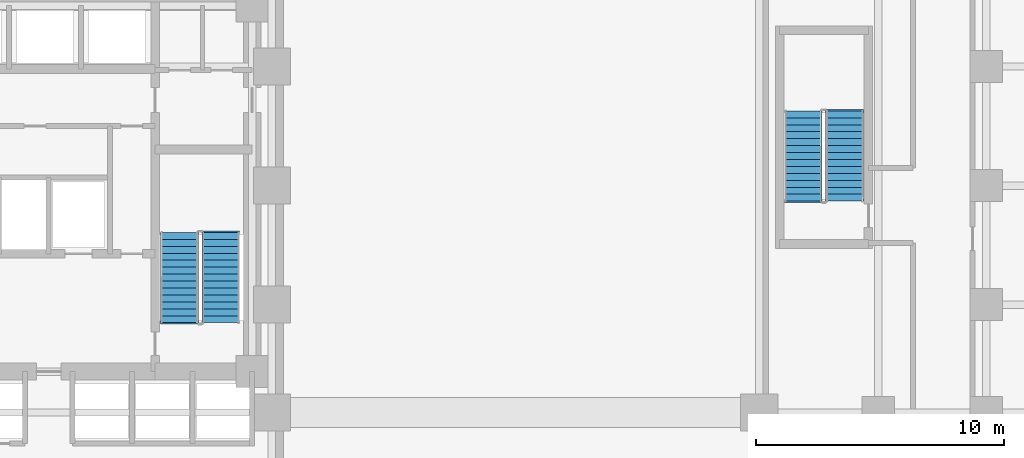
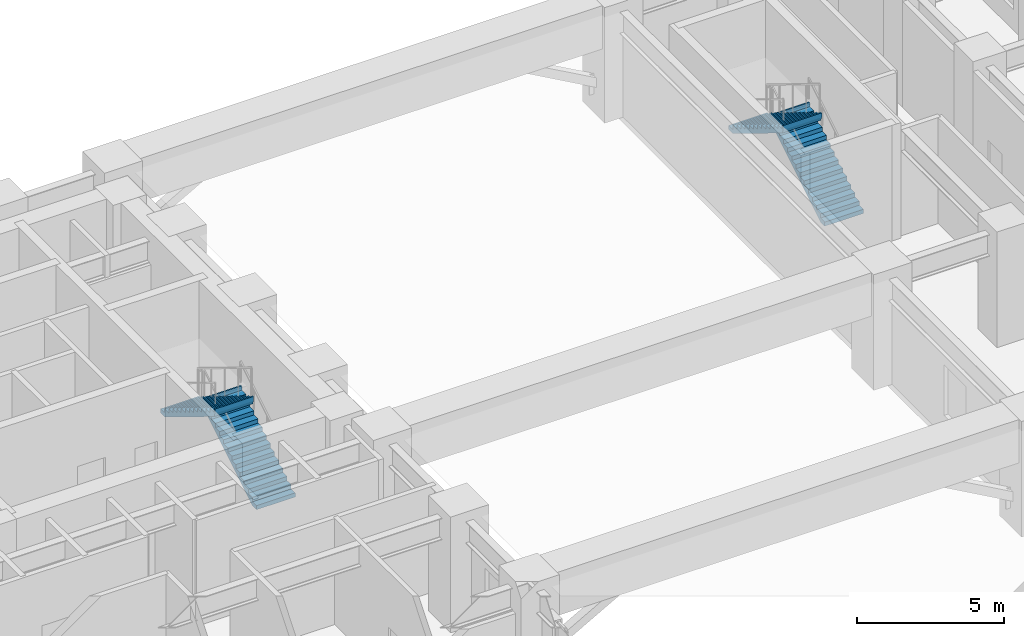
# One storey, part 9 of 12: 4 stair flights, 2 elements without a shape of their own.
"""IFC4 building model written with IfcOpenShell, lengths in metres."""

from ifc_helpers import new_model, si_unit, direction, frame, origin, place, context, subcontext, project, spatial, polyline, outline, extrude, material, type_object, element, aggregate, save


model = new_model("IFC4")

# Units and contexts
model_context = context("Model", 3, precision=1e-05, world=origin(), true_north=direction((0.0, 1.0)))
body_context = subcontext(model_context, "Body", "Model", "MODEL_VIEW")
ifc_project = project(units=[si_unit("LENGTHUNIT", "METRE"), si_unit("AREAUNIT", "SQUARE_METRE"), si_unit("VOLUMEUNIT", "CUBIC_METRE"), si_unit("PLANEANGLEUNIT", "RADIAN"), si_unit("MASSUNIT", "GRAM", prefix="KILO")], contexts=[model_context])

# Site, building, storey
site_placement = place(None, origin())
site = spatial("IfcSite", under=ifc_project, at=site_placement, CompositionType="ELEMENT")
building_placement = place(site_placement, origin())
building = spatial("IfcBuilding", under=site, at=building_placement, Name="Orvandelia Arch Residences", CompositionType="ELEMENT")
storey_placement = place(building_placement, frame((0.0, 0.0, 10.0)))
storey = spatial("IfcBuildingStorey", under=building, at=storey_placement, Name="L02", CompositionType="ELEMENT", Elevation=10.0)

# Stair, stair flights
ifc_material = material(Name="Concrete C40/50", Category="concrete")
stair_type = type_object("IfcStairType", Name="STAIR-RC-DOGLEG", PredefinedType="HALF_TURN_STAIR", material=ifc_material)
stair_1_placement = place(storey_placement, origin())
stair_1 = element("IfcStair", 1, at=stair_1_placement, inside=storey, type_object=stair_type, Name="L02 Protected Exit Stair ST-2", PredefinedType="HALF_TURN_STAIR")
stair_flight_type = type_object("IfcStairFlightType", Name="STFLT-RC-1520", PredefinedType="STRAIGHT", material=ifc_material)
stair_flight_1_placement = place(storey_placement, frame((21.489990234375, 32.8701171875, 0.0), z_axis=(0.0, 0.0, 1.0), x_axis=(0.0, 1.0, 0.0)))
stair_flight_1 = element("IfcStairFlight", 2, at=stair_flight_1_placement, type_object=stair_flight_type, Name="ST-2 flight 1", NumberOfRisers=14, NumberOfTreads=13, PredefinedType="STRAIGHT", RiserHeight=0.171428571, TreadLength=0.28, context=body_context, shape_type="SweptSolid", body=[
    extrude(outline(polyline([(0.0, 0.0), (0.0, 0.17138671875), (0.280029296875, 0.17138671875), (0.280029296875, 0.3427734375), (0.56005859375, 0.3427734375), (0.56005859375, 0.514404296875), (0.840087890625, 0.514404296875), (0.840087890625, 0.685791015625), (1.1201171875, 0.685791015625), (1.1201171875, 0.857177734375), (1.39990234375, 0.857177734375), (1.39990234375, 1.028564453125), (1.679931640625, 1.028564453125), (1.679931640625, 1.199951171875), (1.9599609375, 1.199951171875), (1.9599609375, 1.371337890625), (2.239990234375, 1.371337890625), (2.239990234375, 1.54296875), (2.52001953125, 1.54296875), (2.52001953125, 1.71435546875), (2.800048828125, 1.71435546875), (2.800048828125, 1.8857421875), (3.080078125, 1.8857421875), (3.080078125, 2.05712890625), (3.360107421875, 2.05712890625), (3.360107421875, 2.228515625), (3.639892578125, 2.228515625), (3.639892578125, 2.39990234375), (3.699951171875, 2.39990234375), (3.699951171875, 2.219970703125), (3.639892578125, 2.052734375), (0.287109375, 0.0), (0.0, 0.0)])), frame((0.0, 0.760009765625, 0.0), z_axis=(0.0, -1.0, 0.0), x_axis=(1.0, 0.0, 0.0)), (0.0, 0.0, 1.0), 1.52001953125),
])
stair_flight_2_placement = place(storey_placement, frame((19.820068359375, 36.510009765625, 2.39990234375), z_axis=(0.0, 0.0, 1.0), x_axis=(0.0, -1.0, 0.0)))
stair_flight_2 = element("IfcStairFlight", 3, at=stair_flight_2_placement, type_object=stair_flight_type, Name="ST-2 flight 2", NumberOfRisers=14, NumberOfTreads=13, PredefinedType="STRAIGHT", RiserHeight=0.171428571, TreadLength=0.28, context=body_context, shape_type="SweptSolid", body=[
    extrude(outline(polyline([(0.0, 0.0), (0.0, 0.17138671875), (0.280029296875, 0.17138671875), (0.280029296875, 0.3427734375), (0.56005859375, 0.3427734375), (0.56005859375, 0.514404296875), (0.840087890625, 0.514404296875), (0.840087890625, 0.685791015625), (1.1201171875, 0.685791015625), (1.1201171875, 0.857177734375), (1.39990234375, 0.857177734375), (1.39990234375, 1.028564453125), (1.679931640625, 1.028564453125), (1.679931640625, 1.199951171875), (1.9599609375, 1.199951171875), (1.9599609375, 1.371337890625), (2.239990234375, 1.371337890625), (2.239990234375, 1.54296875), (2.52001953125, 1.54296875), (2.52001953125, 1.71435546875), (2.800048828125, 1.71435546875), (2.800048828125, 1.8857421875), (3.080078125, 1.8857421875), (3.080078125, 2.05712890625), (3.360107421875, 2.05712890625), (3.360107421875, 2.228515625), (3.639892578125, 2.228515625), (3.639892578125, 2.39990234375), (3.699951171875, 2.39990234375), (3.699951171875, 2.219970703125), (3.639892578125, 2.052734375), (0.287109375, 0.0), (0.0, 0.0)])), frame((0.0, 0.760009765625, 0.0), z_axis=(0.0, -1.0, 0.0), x_axis=(1.0, 0.0, 0.0)), (0.0, 0.0, 1.0), 1.52001953125),
])
aggregate(stair_1, [stair_flight_1, stair_flight_2])

stair_2_placement = place(storey_placement, origin())
stair_2 = element("IfcStair", 4, at=stair_2_placement, inside=storey, type_object=stair_type, Name="L02 East Wing Exit Stair ST-3", PredefinedType="HALF_TURN_STAIR")
stair_flight_3_placement = place(storey_placement, frame((46.639892578125, 37.77001953125, 0.0), z_axis=(0.0, 0.0, 1.0), x_axis=(0.0, 1.0, 0.0)))
stair_flight_3 = element("IfcStairFlight", 5, at=stair_flight_3_placement, type_object=stair_flight_type, Name="ST-3 flight 1", NumberOfRisers=14, NumberOfTreads=13, PredefinedType="STRAIGHT", RiserHeight=0.171428571, TreadLength=0.28, context=body_context, shape_type="SweptSolid", body=[
    extrude(outline(polyline([(0.0, 0.0), (0.0, 0.17138671875), (0.280029296875, 0.17138671875), (0.280029296875, 0.3427734375), (0.56005859375, 0.3427734375), (0.56005859375, 0.514404296875), (0.840087890625, 0.514404296875), (0.840087890625, 0.685791015625), (1.1201171875, 0.685791015625), (1.1201171875, 0.857177734375), (1.39990234375, 0.857177734375), (1.39990234375, 1.028564453125), (1.679931640625, 1.028564453125), (1.679931640625, 1.199951171875), (1.9599609375, 1.199951171875), (1.9599609375, 1.371337890625), (2.239990234375, 1.371337890625), (2.239990234375, 1.54296875), (2.52001953125, 1.54296875), (2.52001953125, 1.71435546875), (2.800048828125, 1.71435546875), (2.800048828125, 1.8857421875), (3.080078125, 1.8857421875), (3.080078125, 2.05712890625), (3.360107421875, 2.05712890625), (3.360107421875, 2.228515625), (3.639892578125, 2.228515625), (3.639892578125, 2.39990234375), (3.699951171875, 2.39990234375), (3.699951171875, 2.219970703125), (3.639892578125, 2.052734375), (0.287109375, 0.0), (0.0, 0.0)])), frame((0.0, 0.760009765625, 0.0), z_axis=(0.0, -1.0, 0.0), x_axis=(1.0, 0.0, 0.0)), (0.0, 0.0, 1.0), 1.52001953125),
])
stair_flight_4_placement = place(storey_placement, frame((44.969970703125, 41.409912109375, 2.39990234375), z_axis=(0.0, 0.0, 1.0), x_axis=(0.0, -1.0, 0.0)))
stair_flight_4 = element("IfcStairFlight", 6, at=stair_flight_4_placement, type_object=stair_flight_type, Name="ST-3 flight 2", NumberOfRisers=14, NumberOfTreads=13, PredefinedType="STRAIGHT", RiserHeight=0.171428571, TreadLength=0.28, context=body_context, shape_type="SweptSolid", body=[
    extrude(outline(polyline([(0.0, 0.0), (0.0, 0.17138671875), (0.280029296875, 0.17138671875), (0.280029296875, 0.3427734375), (0.56005859375, 0.3427734375), (0.56005859375, 0.514404296875), (0.840087890625, 0.514404296875), (0.840087890625, 0.685791015625), (1.1201171875, 0.685791015625), (1.1201171875, 0.857177734375), (1.39990234375, 0.857177734375), (1.39990234375, 1.028564453125), (1.679931640625, 1.028564453125), (1.679931640625, 1.199951171875), (1.9599609375, 1.199951171875), (1.9599609375, 1.371337890625), (2.239990234375, 1.371337890625), (2.239990234375, 1.54296875), (2.52001953125, 1.54296875), (2.52001953125, 1.71435546875), (2.800048828125, 1.71435546875), (2.800048828125, 1.8857421875), (3.080078125, 1.8857421875), (3.080078125, 2.05712890625), (3.360107421875, 2.05712890625), (3.360107421875, 2.228515625), (3.639892578125, 2.228515625), (3.639892578125, 2.39990234375), (3.699951171875, 2.39990234375), (3.699951171875, 2.219970703125), (3.639892578125, 2.052734375), (0.287109375, 0.0), (0.0, 0.0)])), frame((0.0, 0.760009765625, 0.0), z_axis=(0.0, -1.0, 0.0), x_axis=(1.0, 0.0, 0.0)), (0.0, 0.0, 1.0), 1.52001953125),
])
aggregate(stair_2, [stair_flight_3, stair_flight_4])

save(model, "model.ifc")
